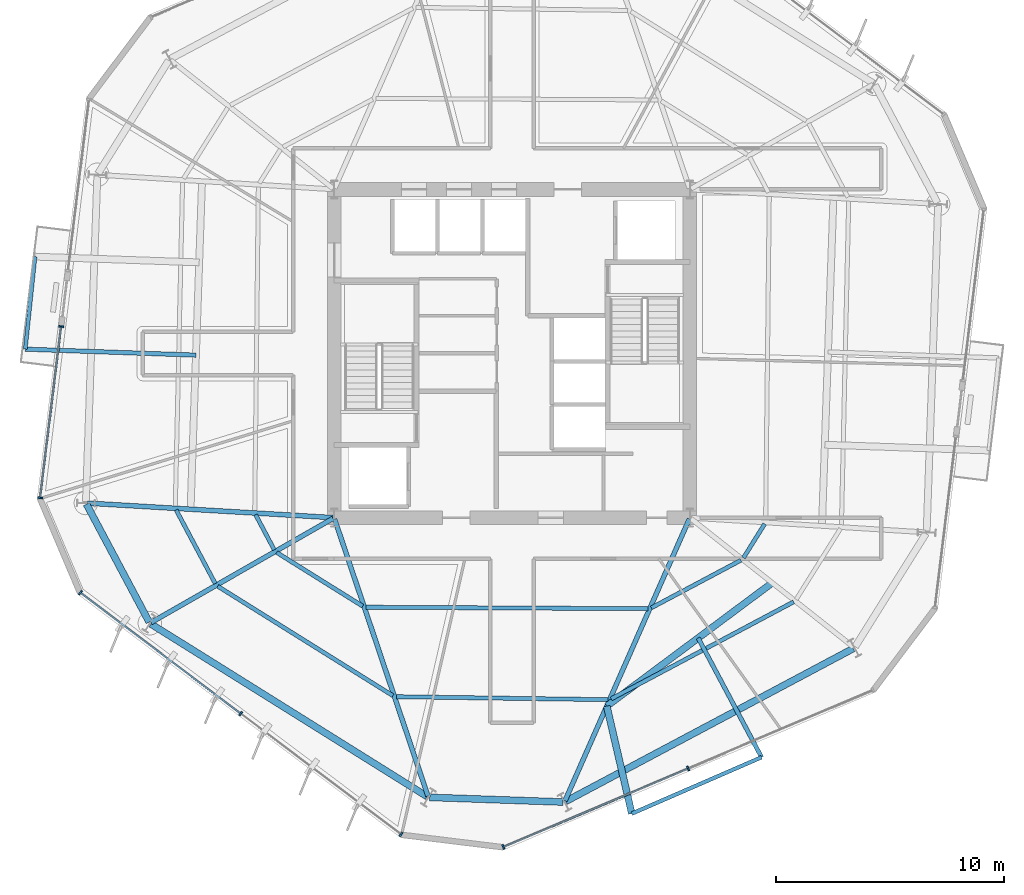
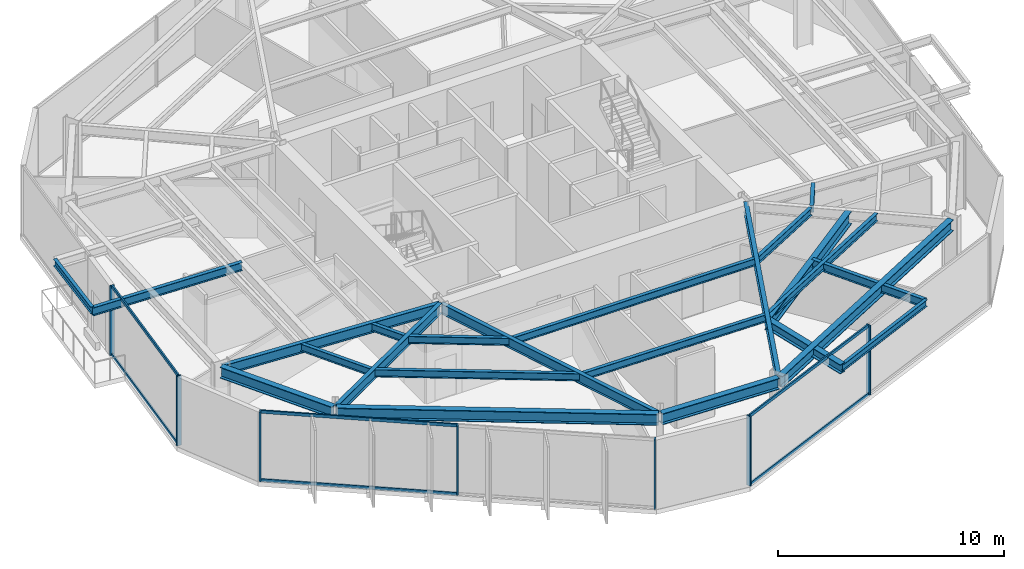
# One storey, part 2 of 11: 23 beams, 13 members, 3 elements without a shape of their own.
"""IFC4 building model written with IfcOpenShell, lengths in metres."""

import ifcopenshell
import ifcopenshell.guid

model = None  # the IFC model being written
_history = None  # IfcOwnerHistory: only IFC2X3 demands one
_inside = {}  # id of a spatial element -> (the spatial element, [elements in it])
_under = {}  # id of a project, library or spatial element -> (it, [spatial elements below it])
_declared = {}  # id of a project -> (the project, [libraries it declares])
_typed = {}  # id of a type object -> (the type object, [elements of that type])
_made_of = {}  # id of a material, layer set ... -> (it, [elements and type objects made of it])


def new_model(schema):
    """Start an empty IFC model of exactly this schema.

    Asked for "IFC4X3", IfcOpenShell would pick the latest addendum, in which some entities
    have other attributes; the version numbers below select the first issue.
    IFC2X3 requires an IfcOwnerHistory on every rooted entity: one is made here for all.
    """
    global model, _history
    if schema == "IFC4X3":
        model = ifcopenshell.file(schema_version=(4, 3, 0, 0))
    else:
        model = ifcopenshell.file(schema=schema)
    _inside.clear()
    _under.clear()
    _declared.clear()
    _typed.clear()
    _made_of.clear()
    _history = None
    if model.schema == "IFC2X3":
        org = make("IfcOrganization", Name="unknown")
        user = make(
            "IfcPersonAndOrganization",
            ThePerson=make("IfcPerson", FamilyName="unknown"),
            TheOrganization=org,
        )
        app = make(
            "IfcApplication",
            ApplicationDeveloper=org,
            Version="unknown",
            ApplicationFullName="unknown",
            ApplicationIdentifier="unknown",
        )
        _history = make(
            "IfcOwnerHistory",
            OwningUser=user,
            OwningApplication=app,
            ChangeAction="ADDED",
            CreationDate=0,
        )
    return model


def make(cls, **values):
    """One entity of the class cls with the attributes given. An attribute that is None is left unset."""
    return model.create_entity(
        cls, **{name: value for name, value in values.items() if value is not None}
    )


def rooted(cls, **values):
    """An entity with a GlobalId (a new one), such as an element, a storey or a relation."""
    return make(cls, GlobalId=ifcopenshell.guid.new(), OwnerHistory=_history, **values)


def si_unit(unit_type, name, prefix=None):
    """IfcSIUnit, for example si_unit("LENGTHUNIT", "METRE", prefix="MILLI")."""
    return make("IfcSIUnit", UnitType=unit_type, Prefix=prefix, Name=name)


def assignment(units):
    """IfcUnitAssignment: the units of a project."""
    return None if units is None else make("IfcUnitAssignment", Units=units)


def point(xyz):
    """IfcCartesianPoint."""
    return None if xyz is None else make("IfcCartesianPoint", Coordinates=xyz)


def direction(xyz):
    """IfcDirection."""
    return None if xyz is None else make("IfcDirection", DirectionRatios=xyz)


def frame(location, z_axis=None, x_axis=None):
    """IfcAxis2Placement3D, a coordinate frame: its origin and axes. An axis left out is left unset."""
    return make(
        "IfcAxis2Placement3D",
        Location=point(location),
        Axis=direction(z_axis),
        RefDirection=direction(x_axis),
    )


def frame_2d(location, x_axis=None):
    """IfcAxis2Placement2D, a coordinate frame in the plane: its origin and x axis."""
    return make(
        "IfcAxis2Placement2D", Location=point(location), RefDirection=direction(x_axis)
    )


def origin():
    """The frame at (0, 0, 0) with its axes left unset."""
    return frame((0.0, 0.0, 0.0))


def origin_2d():
    """The frame at (0, 0) in the plane with its x axis left unset."""
    return frame_2d((0.0, 0.0))


def place(relative_to, where):
    """IfcLocalPlacement: puts the frame where relative to a parent placement (None: the world)."""
    return make(
        "IfcLocalPlacement", PlacementRelTo=relative_to, RelativePlacement=where
    )


def context(
    kind, dimensions, precision=None, world=None, true_north=None, identifier=None
):
    """IfcGeometricRepresentationContext, for example the 3D "Model" context."""
    return make(
        "IfcGeometricRepresentationContext",
        ContextIdentifier=identifier,
        ContextType=kind,
        CoordinateSpaceDimension=dimensions,
        Precision=precision,
        WorldCoordinateSystem=world,
        TrueNorth=true_north,
    )


def subcontext(parent, identifier, kind, view, scale=None):
    """IfcGeometricRepresentationSubContext, for example "Body" below "Model"."""
    return make(
        "IfcGeometricRepresentationSubContext",
        ContextIdentifier=identifier,
        ContextType=kind,
        ParentContext=parent,
        TargetScale=scale,
        TargetView=view,
    )


def project(units=None, contexts=None):
    """IfcProject with its units and contexts."""
    return rooted(
        "IfcProject",
        Name="project",
        RepresentationContexts=contexts,
        UnitsInContext=assignment(units),
    )


def spatial(cls, under=None, at=None, **own):
    """A site, building, storey or space (cls), placed at a placement, below another one or the project."""
    s = rooted(cls, ObjectPlacement=at, **own)
    if under is not None:
        _under.setdefault(under.id(), (under, []))[1].append(s)
    return s


def profile(cls, at=None, kind="AREA", **sizes):
    """A parametric profile (cls). Its sizes go by their IFC names, for example OverallWidth=200.0."""
    return make(cls, ProfileType=kind, Position=at, **sizes)


def rectangle(**sizes):
    """IfcRectangleProfileDef."""
    return profile("IfcRectangleProfileDef", **sizes)


def i_section(**sizes):
    """IfcIShapeProfileDef."""
    return profile("IfcIShapeProfileDef", **sizes)


def extrude(swept, where, along, depth):
    """IfcExtrudedAreaSolid: the profile swept, set in the frame where, extruded along a direction by depth."""
    return make(
        "IfcExtrudedAreaSolid",
        SweptArea=swept,
        Position=where,
        ExtrudedDirection=direction(along),
        Depth=depth,
    )


def shape(context_of_items, identifier, shape_type, items):
    """IfcShapeRepresentation: the items that make up one representation, for example the "Body"."""
    return make(
        "IfcShapeRepresentation",
        ContextOfItems=context_of_items,
        RepresentationIdentifier=identifier,
        RepresentationType=shape_type,
        Items=items,
    )


def material(Name=None, Category=None):
    """IfcMaterial."""
    return make("IfcMaterial", Name=Name, Category=Category)


def layer(
    of_material, thickness, ventilated=None, Name=None, Category=None, Priority=None
):
    """IfcMaterialLayer: one layer of a wall or slab, of a material (None: an air gap)."""
    return make(
        "IfcMaterialLayer",
        Material=of_material,
        LayerThickness=thickness,
        IsVentilated=ventilated,
        Name=Name,
        Category=Category,
        Priority=Priority,
    )


def layer_set(layers, Name=None):
    """IfcMaterialLayerSet."""
    return make("IfcMaterialLayerSet", MaterialLayers=layers, LayerSetName=Name)


def material_profile(
    of_material, cross_section, Name=None, Category=None, Priority=None
):
    """IfcMaterialProfile: a cross section and its material."""
    return make(
        "IfcMaterialProfile",
        Name=Name,
        Material=of_material,
        Profile=cross_section,
        Priority=Priority,
        Category=Category,
    )


def profile_set(profiles, Name=None, composite=None):
    """IfcMaterialProfileSet."""
    return make(
        "IfcMaterialProfileSet",
        Name=Name,
        MaterialProfiles=profiles,
        CompositeProfile=composite,
    )


def made_of(thing, what):
    """Note that an element or type object is made of a material, layer set ...; save() writes the relation."""
    if what is not None:
        _made_of.setdefault(what.id(), (what, []))[1].append(thing)
    return thing


def type_object(cls, material=None, **own):
    """A type object (cls), such as IfcWallType, which elements share."""
    return made_of(rooted(cls, **own), material)


def element(
    cls,
    number,
    at=None,
    inside=None,
    cuts=None,
    type_object=None,
    material=None,
    context=None,
    identifier="Body",
    shape_type=None,
    held_by="IfcProductDefinitionShape",
    body=None,
    shapes=None,
    **own,
):
    """One element of the class cls, such as IfcWall. Its Tag is "e" and its number.

    at: its placement. inside: the storey or other place that contains it. cuts: it is an
    opening in that element (IfcRelVoidsElement). A single representation is given by context,
    identifier, shape_type and body (its items); several are given by shapes. held_by: the class
    of the entity that holds the representations. save() writes the other relations.
    """
    e = rooted(cls, Tag="e%d" % number, ObjectPlacement=at, **own)
    if body is not None:
        shapes = [shape(context, identifier, shape_type, body)]
    if shapes is not None:
        e.Representation = make(held_by, Representations=shapes)
    if inside is not None:
        _inside.setdefault(inside.id(), (inside, []))[1].append(e)
    if cuts is not None:
        rooted(
            "IfcRelVoidsElement", RelatingBuildingElement=cuts, RelatedOpeningElement=e
        )
    if type_object is not None:
        _typed.setdefault(type_object.id(), (type_object, []))[1].append(e)
    return made_of(e, material)


def aggregate(whole, parts):
    """IfcRelAggregates: a whole, such as a stair, and the parts it consists of."""
    return rooted("IfcRelAggregates", RelatingObject=whole, RelatedObjects=parts)


def save(model, path):
    """Write the relations noted so far, then the file.

    IfcRelAggregates (storeys below a building ...), IfcRelContainedInSpatialStructure (elements
    in a storey), IfcRelDefinesByType, IfcRelAssociatesMaterial and IfcRelDeclares: one each for
    every whole, place, type object, material and project.
    """
    for whole, parts in _under.values():
        aggregate(whole, parts)
    for where, things in _inside.values():
        rooted(
            "IfcRelContainedInSpatialStructure",
            RelatedElements=things,
            RelatingStructure=where,
        )
    for kind, things in _typed.values():
        rooted("IfcRelDefinesByType", RelatedObjects=things, RelatingType=kind)
    for what, things in _made_of.values():
        rooted("IfcRelAssociatesMaterial", RelatedObjects=things, RelatingMaterial=what)
    for by, libraries in _declared.values():
        rooted("IfcRelDeclares", RelatingContext=by, RelatedDefinitions=libraries)
    model.write(path)


model = new_model("IFC4")

# Units and contexts
model_context = context("Model", 3, precision=1e-05, world=origin(), true_north=direction((0.0, 1.0)))
body_context = subcontext(model_context, "Body", "Model", "MODEL_VIEW")
ifc_project = project(units=[si_unit("LENGTHUNIT", "METRE"), si_unit("AREAUNIT", "SQUARE_METRE"), si_unit("VOLUMEUNIT", "CUBIC_METRE"), si_unit("PLANEANGLEUNIT", "RADIAN"), si_unit("MASSUNIT", "GRAM", prefix="KILO")], contexts=[model_context])

# Site, building, storey
site_placement = place(None, origin())
site = spatial("IfcSite", under=ifc_project, at=site_placement, CompositionType="ELEMENT")
building_placement = place(site_placement, origin())
building = spatial("IfcBuilding", under=site, at=building_placement, Name="Kranzbogen Civic Tower", CompositionType="ELEMENT")
storey_placement = place(building_placement, frame((0.0, 0.0, 114.39990234375)))
storey = spatial("IfcBuildingStorey", under=building, at=storey_placement, Name="L27", CompositionType="ELEMENT", Elevation=114.39990234375)

# Beams
ifc_material_1 = material(Name="Steel S355", Category="steel")
ifc_material_profile_1 = material_profile(ifc_material_1, i_section(OverallWidth=0.18994140625, OverallDepth=0.449951171875, WebThickness=0.009521484375, FlangeThickness=0.0146484375, at=origin_2d()), Name="IPE 450")
ifc_profile_set_1 = profile_set([ifc_material_profile_1], Name="Steel S355")
beam_type_1 = type_object("IfcBeamType", Name="Braced Terrace Edge Beam IPE 450", PredefinedType="BEAM", material=ifc_profile_set_1)
beam_1_placement = place(storey_placement, frame((11.137939453125, 24.930908203125, 3.525146484375), z_axis=(-0.999386956316, 0.035010163451, 0.0), x_axis=(-0.035010163451, -0.999386956316, 0.0)))
element("IfcBeam", 1, at=beam_1_placement, inside=storey, type_object=beam_type_1, Name="L28 back-spanned terrace beam L28-TB2-2", PredefinedType="BEAM", context=body_context, shape_type="SweptSolid", body=[
    extrude(i_section(OverallWidth=0.18994140625, OverallDepth=0.449951171875, WebThickness=0.009521484375, FlangeThickness=0.0146484375, at=origin_2d()), origin(), (0.0, 0.0, 1.0), 7.489501953125),
])
beam_2_placement = place(storey_placement, frame((33.166015625, 12.52392578125, 3.4951171875), z_axis=(0.469494715547, -0.882935281928, 0.0), x_axis=(0.882935281928, 0.469494715547, 0.0)))
element("IfcBeam", 2, at=beam_2_placement, inside=storey, type_object=beam_type_1, Name="L28 back-spanned terrace beam L28-ST-2", PredefinedType="BEAM", context=body_context, shape_type="SweptSolid", body=[
    extrude(i_section(OverallWidth=0.18994140625, OverallDepth=0.449951171875, WebThickness=0.009521484375, FlangeThickness=0.0146484375, at=origin_2d()), origin(), (0.0, 0.0, 1.0), 5.92333984375),
])

# Curtain wall, members
ifc_material_2 = material(Name="Pale Anodised Aluminium", Category="aluminium")
ifc_layer = layer(ifc_material_2, 0.219970703125, Name="Pale Anodised Aluminium")
ifc_layer_set = layer_set([ifc_layer], Name="Pale Anodised Aluminium")
curtain_wall_type = type_object("IfcCurtainWallType", Name="Zone 2 Stick Curtain Wall System CW-03", PredefinedType="USERDEFINED", material=ifc_layer_set)
curtain_wall_1_placement = place(storey_placement, origin())
curtain_wall_1 = element("IfcCurtainWall", 3, at=curtain_wall_1_placement, inside=storey, type_object=curtain_wall_type, Name="L27 curtain wall CW-L27-F3-S2", ObjectType="STICK CURTAIN WALL", PredefinedType="USERDEFINED")
ifc_material_profile_2 = material_profile(ifc_material_2, rectangle(XDim=0.074951171875, YDim=0.219970703125, at=origin_2d()), Name="ALU-M 75x220")
ifc_profile_set_2 = profile_set([ifc_material_profile_2], Name="Pale Anodised Aluminium")
member_type_1 = type_object("IfcMemberType", Name="Curtain Wall Mullion ALU-M 75x220", PredefinedType="MULLION", material=ifc_profile_set_2)
member_1_placement = place(storey_placement, frame((5.225341796875, 26.188232421875, 0.0), z_axis=(0.0, 0.0, 1.0), x_axis=(-0.121825644722, -0.992551516188, 0.0)))
member_1 = element("IfcMember", 4, at=member_1_placement, type_object=member_type_1, Name="CW-03 mullion 1", PredefinedType="MULLION", context=body_context, shape_type="SweptSolid", body=[
    extrude(rectangle(XDim=0.074951171875, YDim=0.219970703125, at=origin_2d()), origin(), (0.0, 0.0, 1.0), 3.760009765625),
])
member_2_placement = place(storey_placement, frame((4.302734375, 18.6708984375, 0.0), z_axis=(0.0, 0.0, 1.0), x_axis=(-0.121825644722, -0.992551516188, 0.0)))
member_2 = element("IfcMember", 5, at=member_2_placement, type_object=member_type_1, Name="CW-03 mullion 2", PredefinedType="MULLION", context=body_context, shape_type="SweptSolid", body=[
    extrude(rectangle(XDim=0.074951171875, YDim=0.219970703125, at=origin_2d()), origin(), (0.0, 0.0, 1.0), 3.760009765625),
])

curtain_wall_2_placement = place(storey_placement, origin())
curtain_wall_2 = element("IfcCurtainWall", 6, at=curtain_wall_2_placement, inside=storey, type_object=curtain_wall_type, Name="L27 curtain wall CW-L27-F4", ObjectType="STICK CURTAIN WALL", PredefinedType="USERDEFINED")
member_3_placement = place(storey_placement, frame((6.070068359375, 14.508056640625, 0.0), z_axis=(0.0, 0.0, 1.0), x_axis=(0.7985987208, -0.601863841027, 0.0)))
member_3 = element("IfcMember", 7, at=member_3_placement, type_object=member_type_1, Name="CW-03 mullion 1", PredefinedType="MULLION", context=body_context, shape_type="SweptSolid", body=[
    extrude(rectangle(XDim=0.074951171875, YDim=0.219970703125, at=origin_2d()), origin(), (0.0, 0.0, 1.0), 3.760009765625),
])
member_4_placement = place(storey_placement, frame((13.10107421875, 9.208984375, 0.0), z_axis=(0.0, 0.0, 1.0), x_axis=(0.7985987208, -0.601863841027, 0.0)))
member_4 = element("IfcMember", 8, at=member_4_placement, type_object=member_type_1, Name="CW-03 mullion 2", PredefinedType="MULLION", context=body_context, shape_type="SweptSolid", body=[
    extrude(rectangle(XDim=0.074951171875, YDim=0.219970703125, at=origin_2d()), origin(), (0.0, 0.0, 1.0), 3.760009765625),
])
member_5_placement = place(storey_placement, frame((20.132080078125, 3.91015625, 0.0), z_axis=(0.0, 0.0, 1.0), x_axis=(0.7985987208, -0.601863841027, 0.0)))
member_5 = element("IfcMember", 9, at=member_5_placement, type_object=member_type_1, Name="CW-03 mullion 3", PredefinedType="MULLION", context=body_context, shape_type="SweptSolid", body=[
    extrude(rectangle(XDim=0.074951171875, YDim=0.219970703125, at=origin_2d()), origin(), (0.0, 0.0, 1.0), 3.760009765625),
])

curtain_wall_3_placement = place(storey_placement, origin())
curtain_wall_3 = element("IfcCurtainWall", 10, at=curtain_wall_3_placement, inside=storey, type_object=curtain_wall_type, Name="L27 curtain wall CW-L27-F5", ObjectType="STICK CURTAIN WALL", PredefinedType="USERDEFINED")
member_6_placement = place(storey_placement, frame((24.62158203125, 3.359619140625, 0.0), z_axis=(0.0, 0.0, 1.0), x_axis=(0.92050961582, 0.390719908864, 0.0)))
member_6 = element("IfcMember", 11, at=member_6_placement, type_object=member_type_1, Name="CW-03 mullion 1", PredefinedType="MULLION", context=body_context, shape_type="SweptSolid", body=[
    extrude(rectangle(XDim=0.074951171875, YDim=0.219970703125, at=origin_2d()), origin(), (0.0, 0.0, 1.0), 3.760009765625),
])
member_7_placement = place(storey_placement, frame((32.7255859375, 6.799560546875, 0.0), z_axis=(0.0, 0.0, 1.0), x_axis=(0.92050961582, 0.390719908864, 0.0)))
member_7 = element("IfcMember", 12, at=member_7_placement, type_object=member_type_1, Name="CW-03 mullion 2", PredefinedType="MULLION", context=body_context, shape_type="SweptSolid", body=[
    extrude(rectangle(XDim=0.074951171875, YDim=0.219970703125, at=origin_2d()), origin(), (0.0, 0.0, 1.0), 3.760009765625),
])

# Member
ifc_material_profile_3 = material_profile(ifc_material_2, rectangle(XDim=0.074951171875, YDim=0.1650390625, at=origin_2d()), Name="ALU-T 75x165")
ifc_profile_set_3 = profile_set([ifc_material_profile_3], Name="Pale Anodised Aluminium")
member_type_2 = type_object("IfcMemberType", Name="Curtain Wall Transom ALU-T 75x165", PredefinedType="USERDEFINED", material=ifc_profile_set_3)
member_8_placement = place(storey_placement, frame((5.2216796875, 26.158447265625, 0.030029296875), z_axis=(-0.121810998213, -0.992553313789, 0.0), x_axis=(0.992553313789, -0.121810998213, 0.0)))
member_8 = element("IfcMember", 13, at=member_8_placement, type_object=member_type_2, Name="CW-03 transom 1.1", ObjectType="TRANSOM", PredefinedType="USERDEFINED", context=body_context, shape_type="SweptSolid", body=[
    extrude(rectangle(XDim=0.074951171875, YDim=0.1650390625, at=origin_2d()), origin(), (0.0, 0.0, 1.0), 7.513916015625),
])

member_9_placement = place(storey_placement, frame((5.2216796875, 26.158447265625, 3.72998046875), z_axis=(-0.121810998213, -0.992553313789, 0.0), x_axis=(0.992553313789, -0.121810998213, 0.0)))
member_9 = element("IfcMember", 14, at=member_9_placement, type_object=member_type_2, Name="CW-03 transom 1.2", ObjectType="TRANSOM", PredefinedType="USERDEFINED", context=body_context, shape_type="SweptSolid", body=[
    extrude(rectangle(XDim=0.074951171875, YDim=0.1650390625, at=origin_2d()), origin(), (0.0, 0.0, 1.0), 7.513916015625),
])

aggregate(curtain_wall_1, [member_1, member_2, member_8, member_9])

member_10_placement = place(storey_placement, frame((6.093994140625, 14.489990234375, 0.030029296875), z_axis=(0.798593995837, -0.601870110417, 0.0), x_axis=(0.601870110417, 0.798593995837, 0.0)))
member_10 = element("IfcMember", 15, at=member_10_placement, type_object=member_type_2, Name="CW-03 transom 1.1", ObjectType="TRANSOM", PredefinedType="USERDEFINED", context=body_context, shape_type="SweptSolid", body=[
    extrude(rectangle(XDim=0.074951171875, YDim=0.1650390625, at=origin_2d()), origin(), (0.0, 0.0, 1.0), 8.744384765625),
])

member_11_placement = place(storey_placement, frame((6.093994140625, 14.489990234375, 3.72998046875), z_axis=(0.798593995837, -0.601870110417, 0.0), x_axis=(0.601870110417, 0.798593995837, 0.0)))
member_11 = element("IfcMember", 16, at=member_11_placement, type_object=member_type_2, Name="CW-03 transom 1.2", ObjectType="TRANSOM", PredefinedType="USERDEFINED", context=body_context, shape_type="SweptSolid", body=[
    extrude(rectangle(XDim=0.074951171875, YDim=0.1650390625, at=origin_2d()), origin(), (0.0, 0.0, 1.0), 8.744384765625),
])

aggregate(curtain_wall_2, [member_3, member_4, member_5, member_10, member_11])

member_12_placement = place(storey_placement, frame((24.649169921875, 3.371337890625, 0.030029296875), z_axis=(0.920505714495, 0.390729099995, 0.0), x_axis=(-0.390729099995, 0.920505714495, 0.0)))
member_12 = element("IfcMember", 17, at=member_12_placement, type_object=member_type_2, Name="CW-03 transom 1.1", ObjectType="TRANSOM", PredefinedType="USERDEFINED", context=body_context, shape_type="SweptSolid", body=[
    extrude(rectangle(XDim=0.074951171875, YDim=0.1650390625, at=origin_2d()), origin(), (0.0, 0.0, 1.0), 8.743896484375),
])

member_13_placement = place(storey_placement, frame((24.649169921875, 3.371337890625, 3.72998046875), z_axis=(0.920505714495, 0.390729099995, 0.0), x_axis=(-0.390729099995, 0.920505714495, 0.0)))
member_13 = element("IfcMember", 18, at=member_13_placement, type_object=member_type_2, Name="CW-03 transom 1.2", ObjectType="TRANSOM", PredefinedType="USERDEFINED", context=body_context, shape_type="SweptSolid", body=[
    extrude(rectangle(XDim=0.074951171875, YDim=0.1650390625, at=origin_2d()), origin(), (0.0, 0.0, 1.0), 8.743896484375),
])

aggregate(curtain_wall_3, [member_6, member_7, member_12, member_13])

# Beams
ifc_material_profile_4 = material_profile(ifc_material_1, i_section(OverallWidth=0.300048828125, OverallDepth=0.5, WebThickness=0.014404296875, FlangeThickness=0.028076171875, at=origin_2d()), Name="HEB 500")
ifc_profile_set_4 = profile_set([ifc_material_profile_4], Name="Steel S355")
beam_type_2 = type_object("IfcBeamType", Name="Perimeter Tube Spandrel Beam HEB 500", PredefinedType="SPANDREL", material=ifc_profile_set_4)
beam_3_placement = place(storey_placement, frame((29.156982421875, 9.537109375, 3.47021484375), z_axis=(0.22669255012, -0.973966368885, 0.0), x_axis=(0.973966368885, 0.22669255012, 0.0)))
element("IfcBeam", 19, at=beam_3_placement, inside=storey, type_object=beam_type_2, Name="L28 back-spanned terrace beam L28-ST-1", PredefinedType="SPANDREL", context=body_context, shape_type="SweptSolid", body=[
    extrude(i_section(OverallWidth=0.300048828125, OverallDepth=0.5, WebThickness=0.014404296875, FlangeThickness=0.028076171875, at=origin_2d()), origin(), (0.0, 0.0, 1.0), 4.843017578125),
])
ifc_material_profile_5 = material_profile(ifc_material_1, i_section(OverallWidth=0.300048828125, OverallDepth=0.60009765625, WebThickness=0.015380859375, FlangeThickness=0.030029296875, at=origin_2d()), Name="HEB 600")
ifc_profile_set_5 = profile_set([ifc_material_profile_5], Name="Steel S355")
beam_type_3 = type_object("IfcBeamType", Name="Perimeter Tube Spandrel Beam HEB 600", PredefinedType="SPANDREL", material=ifc_profile_set_5)
beam_4_placement = place(storey_placement, frame((6.337890625, 18.39111328125, 3.460205078125), z_axis=(0.469565926668, -0.882897412224, 0.0), x_axis=(0.882897412224, 0.469565926668, 0.0)))
element("IfcBeam", 20, at=beam_4_placement, inside=storey, type_object=beam_type_3, Name="L27 perimeter spandrel beam 01", PredefinedType="SPANDREL", context=body_context, shape_type="SweptSolid", body=[
    extrude(i_section(OverallWidth=0.300048828125, OverallDepth=0.60009765625, WebThickness=0.015380859375, FlangeThickness=0.030029296875, at=origin_2d()), origin(), (0.0, 0.0, 1.0), 5.852294921875),
])
beam_5_placement = place(storey_placement, frame((9.1650390625, 13.138916015625, 3.460205078125), z_axis=(0.848051101349, -0.52991445489, 0.0), x_axis=(0.52991445489, 0.848051101349, 0.0)))
element("IfcBeam", 21, at=beam_5_placement, inside=storey, type_object=beam_type_3, Name="L27 perimeter spandrel beam 02", PredefinedType="SPANDREL", context=body_context, shape_type="SweptSolid", body=[
    extrude(i_section(OverallWidth=0.300048828125, OverallDepth=0.60009765625, WebThickness=0.015380859375, FlangeThickness=0.030029296875, at=origin_2d()), origin(), (0.0, 0.0, 1.0), 14.286865234375),
])
beam_6_placement = place(storey_placement, frame((21.39208984375, 5.533935546875, 3.460205078125), z_axis=(0.999393148233, -0.03483296234, 0.0), x_axis=(0.03483296234, 0.999393148233, 0.0)))
element("IfcBeam", 22, at=beam_6_placement, inside=storey, type_object=beam_type_3, Name="L27 perimeter spandrel beam 03", PredefinedType="SPANDREL", context=body_context, shape_type="SweptSolid", body=[
    extrude(i_section(OverallWidth=0.300048828125, OverallDepth=0.60009765625, WebThickness=0.015380859375, FlangeThickness=0.030029296875, at=origin_2d()), origin(), (0.0, 0.0, 1.0), 5.8525390625),
])
beam_7_placement = place(storey_placement, frame((27.35400390625, 5.35595703125, 3.460205078125), z_axis=(0.882948194046, 0.469470432116, 0.0), x_axis=(-0.469470432116, 0.882948194046, 0.0)))
element("IfcBeam", 23, at=beam_7_placement, inside=storey, type_object=beam_type_3, Name="L27 perimeter spandrel beam 04", PredefinedType="SPANDREL", context=body_context, shape_type="SweptSolid", body=[
    extrude(i_section(OverallWidth=0.300048828125, OverallDepth=0.60009765625, WebThickness=0.015380859375, FlangeThickness=0.030029296875, at=origin_2d()), origin(), (0.0, 0.0, 1.0), 14.28857421875),
])
ifc_material_profile_6 = material_profile(ifc_material_1, i_section(OverallWidth=0.300048828125, OverallDepth=0.699951171875, WebThickness=0.01708984375, FlangeThickness=0.031982421875, at=origin_2d()), Name="HEB 700")
ifc_profile_set_6 = profile_set([ifc_material_profile_6], Name="Steel S355")
beam_type_4 = type_object("IfcBeamType", Name="Perimeter Tube Spandrel Beam HEB 700", PredefinedType="SPANDREL", material=ifc_profile_set_6)
beam_8_placement = place(storey_placement, frame((29.156982421875, 9.537109375, 3.3701171875), z_axis=(0.801896259305, 0.597463295369, 0.0), x_axis=(-0.597463295369, 0.801896259305, 0.0)))
element("IfcBeam", 24, at=beam_8_placement, inside=storey, type_object=beam_type_4, Name="L28 balcony back-span header girder L28-ST", PredefinedType="SPANDREL", context=body_context, shape_type="SweptSolid", body=[
    extrude(i_section(OverallWidth=0.300048828125, OverallDepth=0.699951171875, WebThickness=0.01708984375, FlangeThickness=0.031982421875, at=origin_2d()), origin(), (0.0, 0.0, 1.0), 9.0498046875),
])
ifc_material_profile_7 = material_profile(ifc_material_1, i_section(OverallWidth=0.2099609375, OverallDepth=0.550048828125, WebThickness=0.010986328125, FlangeThickness=0.01708984375, at=origin_2d()), Name="IPE 550")
ifc_profile_set_7 = profile_set([ifc_material_profile_7], Name="Steel S355")
beam_type_5 = type_object("IfcBeamType", Name="Radial Tower Floor Girder IPE 550", PredefinedType="BEAM", material=ifc_profile_set_7)
beam_9_placement = place(storey_placement, frame((6.3701171875, 18.43994140625, 3.485107421875), z_axis=(0.998260925387, -0.058950189528, 0.0), x_axis=(0.058950189528, 0.998260925387, 0.0)))
element("IfcBeam", 25, at=beam_9_placement, inside=storey, type_object=beam_type_5, Name="L27 radial floor girder 01", PredefinedType="BEAM", context=body_context, shape_type="SweptSolid", body=[
    extrude(i_section(OverallWidth=0.2099609375, OverallDepth=0.550048828125, WebThickness=0.010986328125, FlangeThickness=0.01708984375, at=origin_2d()), origin(), (0.0, 0.0, 1.0), 10.78857421875),
])
beam_10_placement = place(storey_placement, frame((9.166015625, 13.200927734375, 3.485107421875), z_axis=(0.867868812182, 0.496793442833, 0.0), x_axis=(-0.496793442833, 0.867868812182, 0.0)))
element("IfcBeam", 26, at=beam_10_placement, inside=storey, type_object=beam_type_5, Name="L27 radial floor girder 02", PredefinedType="BEAM", context=body_context, shape_type="SweptSolid", body=[
    extrude(i_section(OverallWidth=0.2099609375, OverallDepth=0.550048828125, WebThickness=0.010986328125, FlangeThickness=0.01708984375, at=origin_2d()), origin(), (0.0, 0.0, 1.0), 9.197265625),
])
beam_11_placement = place(storey_placement, frame((21.31298828125, 5.593017578125, 3.485107421875), z_axis=(-0.319316617377, 0.947648087566, 0.0), x_axis=(-0.947648087566, -0.319316617377, 0.0)))
element("IfcBeam", 27, at=beam_11_placement, inside=storey, type_object=beam_type_5, Name="L27 radial floor girder 03", PredefinedType="BEAM", context=body_context, shape_type="SweptSolid", body=[
    extrude(i_section(OverallWidth=0.2099609375, OverallDepth=0.550048828125, WebThickness=0.010986328125, FlangeThickness=0.01708984375, at=origin_2d()), origin(), (0.0, 0.0, 1.0), 12.821044921875),
])
beam_12_placement = place(storey_placement, frame((27.324951171875, 5.383056640625, 3.485107421875), z_axis=(0.403459127705, 0.914997667905, 0.0), x_axis=(-0.914997667905, 0.403459127705, 0.0)))
element("IfcBeam", 28, at=beam_12_placement, inside=storey, type_object=beam_type_5, Name="L27 radial floor girder 04", PredefinedType="BEAM", context=body_context, shape_type="SweptSolid", body=[
    extrude(i_section(OverallWidth=0.2099609375, OverallDepth=0.550048828125, WebThickness=0.010986328125, FlangeThickness=0.01708984375, at=origin_2d()), origin(), (0.0, 0.0, 1.0), 13.510498046875),
])
ifc_material_profile_8 = material_profile(ifc_material_1, i_section(OverallWidth=0.169921875, OverallDepth=0.360107421875, WebThickness=0.008056640625, FlangeThickness=0.0126953125, at=origin_2d()), Name="IPE 360")
ifc_profile_set_8 = profile_set([ifc_material_profile_8], Name="Steel S355")
beam_type_6 = type_object("IfcBeamType", Name="Secondary Composite Floor Joist IPE 360", PredefinedType="JOIST", material=ifc_profile_set_8)
beam_13_placement = place(storey_placement, frame((4.080078125, 29.2509765625, 3.570068359375), z_axis=(-0.104650523063, -0.994509058794, 0.0), x_axis=(0.994509058794, -0.104650523063, 0.0)))
element("IfcBeam", 29, at=beam_13_placement, inside=storey, type_object=beam_type_6, Name="L28 terrace outer edge trimmer L28-TB2", PredefinedType="JOIST", context=body_context, shape_type="SweptSolid", body=[
    extrude(i_section(OverallWidth=0.169921875, OverallDepth=0.360107421875, WebThickness=0.008056640625, FlangeThickness=0.0126953125, at=origin_2d()), origin(), (0.0, 0.0, 1.0), 4.080322265625),
])
beam_14_placement = place(storey_placement, frame((30.2548828125, 4.820068359375, 3.5400390625), z_axis=(0.917126956414, 0.398595215498, 0.0), x_axis=(-0.398595215498, 0.917126956414, 0.0)))
element("IfcBeam", 30, at=beam_14_placement, inside=storey, type_object=beam_type_6, Name="L28 terrace outer edge trimmer L28-ST", PredefinedType="JOIST", context=body_context, shape_type="SweptSolid", body=[
    extrude(i_section(OverallWidth=0.169921875, OverallDepth=0.360107421875, WebThickness=0.008056640625, FlangeThickness=0.0126953125, at=origin_2d()), origin(), (0.0, 0.0, 1.0), 6.20654296875),
])
ifc_material_profile_9 = material_profile(ifc_material_1, i_section(OverallWidth=0.179931640625, OverallDepth=0.39990234375, WebThickness=0.008544921875, FlangeThickness=0.013427734375, at=origin_2d()), Name="IPE 400")
ifc_profile_set_9 = profile_set([ifc_material_profile_9], Name="Steel S355")
beam_type_7 = type_object("IfcBeamType", Name="Secondary Composite Floor Joist IPE 400", PredefinedType="JOIST", material=ifc_profile_set_9)
beam_15_placement = place(storey_placement, frame((10.26806640625, 18.14208984375, 3.56005859375), z_axis=(0.469338791783, -0.88301817565, 0.0), x_axis=(0.88301817565, 0.469338791783, 0.0)))
element("IfcBeam", 31, at=beam_15_placement, inside=storey, type_object=beam_type_7, Name="L27 secondary floor joist 1.01", PredefinedType="JOIST", context=body_context, shape_type="SweptSolid", body=[
    extrude(i_section(OverallWidth=0.179931640625, OverallDepth=0.39990234375, WebThickness=0.008544921875, FlangeThickness=0.013427734375, at=origin_2d()), origin(), (0.0, 0.0, 1.0), 3.66259765625),
])
beam_16_placement = place(storey_placement, frame((13.7529296875, 17.93505859375, 3.56005859375), z_axis=(0.46943723363, -0.882965845139, 0.0), x_axis=(0.882965845139, 0.46943723363, 0.0)))
element("IfcBeam", 32, at=beam_16_placement, inside=storey, type_object=beam_type_7, Name="L27 secondary floor joist 2.01", PredefinedType="JOIST", context=body_context, shape_type="SweptSolid", body=[
    extrude(i_section(OverallWidth=0.179931640625, OverallDepth=0.39990234375, WebThickness=0.008544921875, FlangeThickness=0.013427734375, at=origin_2d()), origin(), (0.0, 0.0, 1.0), 1.7509765625),
])
beam_17_placement = place(storey_placement, frame((12.093017578125, 14.794921875, 3.56005859375), z_axis=(0.848025549308, -0.529955345026, 0.0), x_axis=(0.529955345026, 0.848025549308, 0.0)))
element("IfcBeam", 33, at=beam_17_placement, inside=storey, type_object=beam_type_7, Name="L27 secondary floor joist 1.02", PredefinedType="JOIST", context=body_context, shape_type="SweptSolid", body=[
    extrude(i_section(OverallWidth=0.179931640625, OverallDepth=0.39990234375, WebThickness=0.008544921875, FlangeThickness=0.013427734375, at=origin_2d()), origin(), (0.0, 0.0, 1.0), 9.06103515625),
])
beam_18_placement = place(storey_placement, frame((14.679931640625, 16.27587890625, 3.56005859375), z_axis=(0.848093834398, -0.529846060716, 0.0), x_axis=(0.529846060716, 0.848093834398, 0.0)))
element("IfcBeam", 34, at=beam_18_placement, inside=storey, type_object=beam_type_7, Name="L27 secondary floor joist 2.02", PredefinedType="JOIST", context=body_context, shape_type="SweptSolid", body=[
    extrude(i_section(OverallWidth=0.179931640625, OverallDepth=0.39990234375, WebThickness=0.008544921875, FlangeThickness=0.013427734375, at=origin_2d()), origin(), (0.0, 0.0, 1.0), 4.4501953125),
])
beam_19_placement = place(storey_placement, frame((19.924072265625, 9.949951171875, 3.56005859375), z_axis=(0.999900525148, -0.014104602386, 0.0), x_axis=(0.014104602386, 0.999900525148, 0.0)))
element("IfcBeam", 35, at=beam_19_placement, inside=storey, type_object=beam_type_7, Name="L27 secondary floor joist 1.03", PredefinedType="JOIST", context=body_context, shape_type="SweptSolid", body=[
    extrude(i_section(OverallWidth=0.179931640625, OverallDepth=0.39990234375, WebThickness=0.008544921875, FlangeThickness=0.013427734375, at=origin_2d()), origin(), (0.0, 0.0, 1.0), 9.27783203125),
])
beam_20_placement = place(storey_placement, frame((18.60205078125, 13.875, 3.56005859375), z_axis=(0.999985774147, -0.005333995002, 0.0), x_axis=(0.005333995002, 0.999985774147, 0.0)))
element("IfcBeam", 36, at=beam_20_placement, inside=storey, type_object=beam_type_7, Name="L27 secondary floor joist 2.03", PredefinedType="JOIST", context=body_context, shape_type="SweptSolid", body=[
    extrude(i_section(OverallWidth=0.179931640625, OverallDepth=0.39990234375, WebThickness=0.008544921875, FlangeThickness=0.013427734375, at=origin_2d()), origin(), (0.0, 0.0, 1.0), 12.358154296875),
])
beam_21_placement = place(storey_placement, frame((29.35107421875, 9.85498046875, 3.56005859375), z_axis=(0.882960787661, 0.469446746131, 0.0), x_axis=(-0.469446746131, 0.882960787661, 0.0)))
element("IfcBeam", 37, at=beam_21_placement, inside=storey, type_object=beam_type_7, Name="L27 secondary floor joist 1.04", PredefinedType="JOIST", context=body_context, shape_type="SweptSolid", body=[
    extrude(i_section(OverallWidth=0.179931640625, OverallDepth=0.39990234375, WebThickness=0.008544921875, FlangeThickness=0.013427734375, at=origin_2d()), origin(), (0.0, 0.0, 1.0), 9.0615234375),
])
beam_22_placement = place(storey_placement, frame((31.111083984375, 13.846923828125, 3.56005859375), z_axis=(0.882991399158, 0.469389165844, 0.0), x_axis=(-0.469389165844, 0.882991399158, 0.0)))
element("IfcBeam", 38, at=beam_22_placement, inside=storey, type_object=beam_type_7, Name="L27 secondary floor joist 2.04", PredefinedType="JOIST", context=body_context, shape_type="SweptSolid", body=[
    extrude(i_section(OverallWidth=0.179931640625, OverallDepth=0.39990234375, WebThickness=0.008544921875, FlangeThickness=0.013427734375, at=origin_2d()), origin(), (0.0, 0.0, 1.0), 4.45068359375),
])
beam_23_placement = place(storey_placement, frame((35.154052734375, 16.041015625, 3.56005859375), z_axis=(0.529572623603, 0.84826460278, 0.0), x_axis=(-0.84826460278, 0.529572623603, 0.0)))
element("IfcBeam", 39, at=beam_23_placement, inside=storey, type_object=beam_type_7, Name="L27 secondary floor joist 2.05", PredefinedType="JOIST", context=body_context, shape_type="SweptSolid", body=[
    extrude(i_section(OverallWidth=0.179931640625, OverallDepth=0.39990234375, WebThickness=0.008544921875, FlangeThickness=0.013427734375, at=origin_2d()), origin(), (0.0, 0.0, 1.0), 1.75048828125),
])

save(model, "model.ifc")
